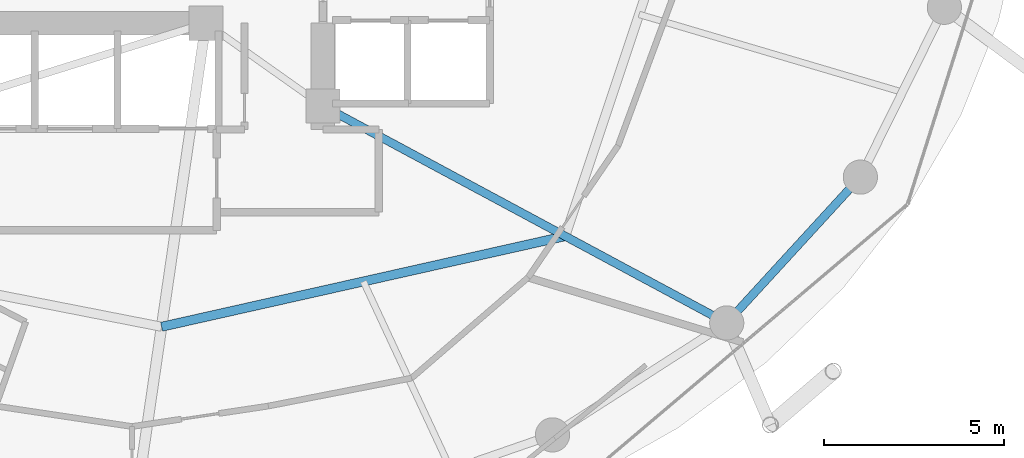
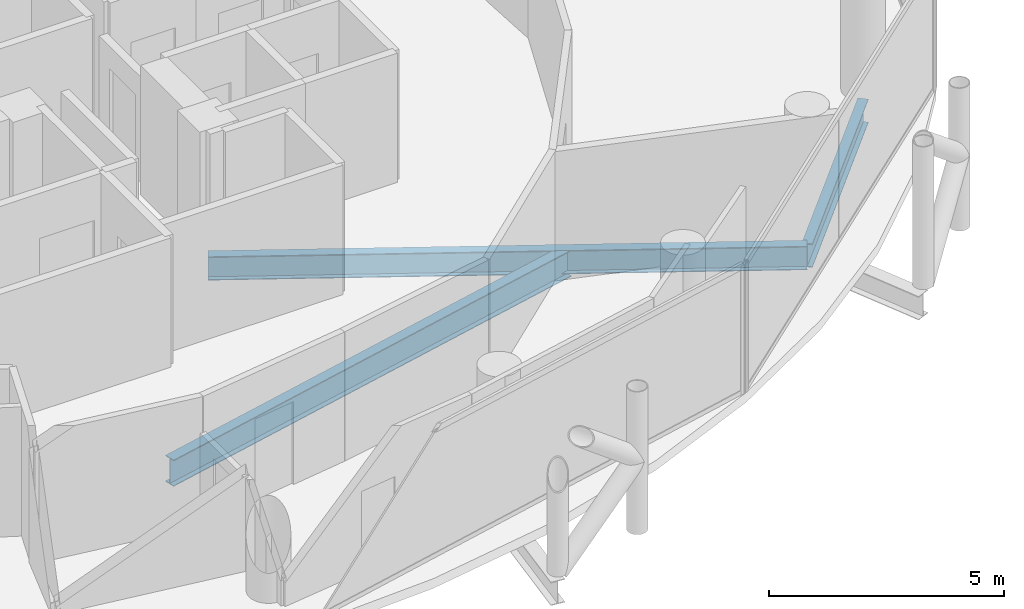
# One storey, part 9 of 26: 3 beams.
"""IFC4 building model written with IfcOpenShell, lengths in metres."""

from ifc_helpers import new_model, si_unit, direction, frame, origin, origin_2d, place, context, subcontext, project, spatial, i_section, extrude, material, material_profile, profile_set, type_object, element, save


model = new_model("IFC4")

# Units and contexts
model_context = context("Model", 3, precision=1e-05, world=origin(), true_north=direction((0.0, 1.0)))
body_context = subcontext(model_context, "Body", "Model", "MODEL_VIEW")
ifc_project = project(units=[si_unit("LENGTHUNIT", "METRE"), si_unit("AREAUNIT", "SQUARE_METRE"), si_unit("VOLUMEUNIT", "CUBIC_METRE"), si_unit("PLANEANGLEUNIT", "RADIAN"), si_unit("MASSUNIT", "GRAM", prefix="KILO")], contexts=[model_context])

# Site, building, storey
site_placement = place(None, origin())
site = spatial("IfcSite", under=ifc_project, at=site_placement, CompositionType="ELEMENT")
building_placement = place(site_placement, origin())
building = spatial("IfcBuilding", under=site, at=building_placement, Name="Nuhasar Tower", CompositionType="ELEMENT")
storey_placement = place(building_placement, frame((0.0, 0.0, 192.25)))
storey = spatial("IfcBuildingStorey", under=building, at=storey_placement, Name="L47", CompositionType="ELEMENT", Elevation=192.25)

# Beams
ifc_material = material(Name="Steel S355", Category="steel")
ifc_material_profile_1 = material_profile(ifc_material, i_section(OverallWidth=0.25390625, OverallDepth=0.68408203125, WebThickness=0.012451171875, FlangeThickness=0.018798828125, at=origin_2d()), Name="W27X94")
ifc_profile_set_1 = profile_set([ifc_material_profile_1], Name="Steel S355")
beam_type_1 = type_object("IfcBeamType", Name="BM-INRING-W27X94", PredefinedType="BEAM", material=ifc_profile_set_1)
beam_1_placement = place(storey_placement, frame((39.820068359375, 12.8701171875, -0.592041015625), z_axis=(0.975716159385, 0.219038755282, 0.0), x_axis=(-0.219038755282, 0.975716159385, 0.0)))
element("IfcBeam", 1, at=beam_1_placement, inside=storey, type_object=beam_type_1, Name="L47 Inner Header Beam 02", PredefinedType="BEAM", context=body_context, shape_type="SweptSolid", body=[
    extrude(i_section(OverallWidth=0.25390625, OverallDepth=0.68408203125, WebThickness=0.012451171875, FlangeThickness=0.018798828125, at=origin_2d()), origin(), (0.0, 0.0, 1.0), 11.48583984375),
])
ifc_material_profile_2 = material_profile(ifc_material, i_section(OverallWidth=0.22900390625, OverallDepth=0.612060546875, WebThickness=0.011962890625, FlangeThickness=0.01953125, at=origin_2d()), Name="W24X84")
ifc_profile_set_2 = profile_set([ifc_material_profile_2], Name="Steel S355")
beam_type_2 = type_object("IfcBeamType", Name="BM-RAD-W24X84", PredefinedType="BEAM", material=ifc_profile_set_2)
beam_2_placement = place(storey_placement, frame((44.300048828125, 19.0, -0.555908203125), z_axis=(0.880888386928, -0.473324043098, 0.0), x_axis=(0.473324043098, 0.880888386928, 0.0)))
element("IfcBeam", 2, at=beam_2_placement, inside=storey, type_object=beam_type_2, Name="L47 Radial Floor Girder 03", PredefinedType="BEAM", context=body_context, shape_type="SweptSolid", body=[
    extrude(i_section(OverallWidth=0.22900390625, OverallDepth=0.612060546875, WebThickness=0.011962890625, FlangeThickness=0.01953125, at=origin_2d()), origin(), (0.0, 0.0, 1.0), 12.726806640625),
])
ifc_material_profile_3 = material_profile(ifc_material, i_section(OverallWidth=0.22998046875, OverallDepth=0.616943359375, WebThickness=0.01318359375, FlangeThickness=0.022216796875, at=origin_2d()), Name="W24X94")
ifc_profile_set_3 = profile_set([ifc_material_profile_3], Name="Steel S355")
beam_type_3 = type_object("IfcBeamType", Name="BM-RING-W24X94", PredefinedType="SPANDREL", material=ifc_profile_set_3)
beam_3_placement = place(storey_placement, frame((55.510986328125, 12.97607421875, -0.55908203125), z_axis=(0.675676316545, 0.737198423262, 0.0), x_axis=(-0.737198423262, 0.675676316545, 0.0)))
element("IfcBeam", 3, at=beam_3_placement, inside=storey, type_object=beam_type_3, Name="L47 Perimeter Ring Spandrel 22", PredefinedType="SPANDREL", context=body_context, shape_type="SweptSolid", body=[
    extrude(i_section(OverallWidth=0.22998046875, OverallDepth=0.616943359375, WebThickness=0.01318359375, FlangeThickness=0.022216796875, at=origin_2d()), origin(), (0.0, 0.0, 1.0), 5.4921875),
])

save(model, "model.ifc")
